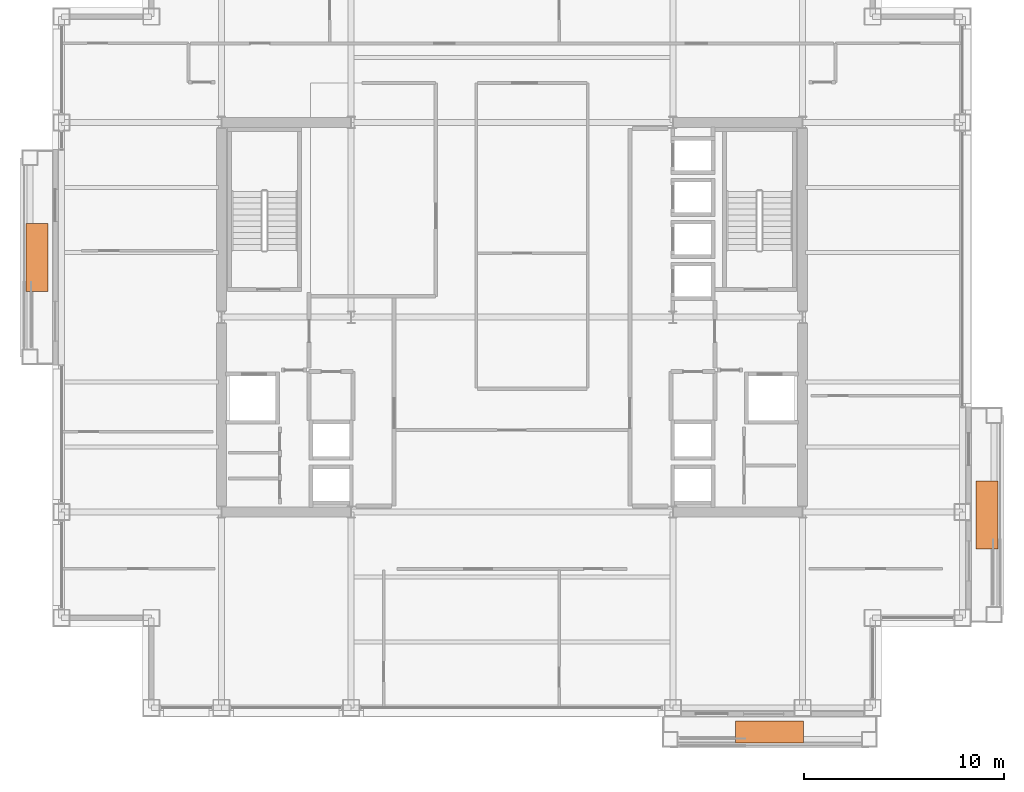
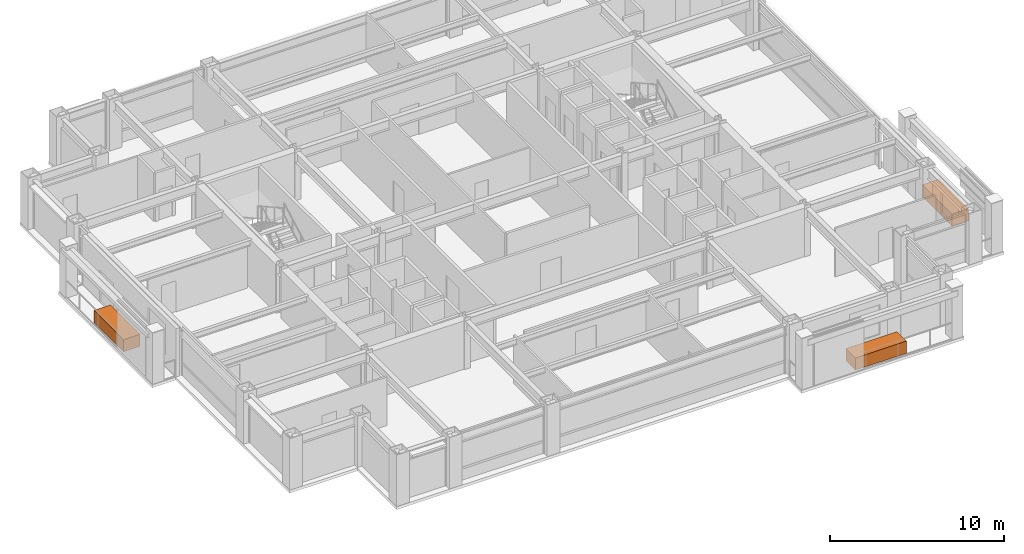
# One storey, part 31 of 31: 3 proxies.
"""IFC4 building model written with IfcOpenShell, lengths in metres."""

from ifc_helpers import new_model, si_unit, direction, frame, origin, origin_2d, place, context, subcontext, project, spatial, rectangle, extrude, material, type_object, element, save


model = new_model("IFC4")

# Units and contexts
model_context = context("Model", 3, precision=1e-05, world=origin(), true_north=direction((0.0, 1.0)))
body_context = subcontext(model_context, "Body", "Model", "MODEL_VIEW")
ifc_project = project(units=[si_unit("LENGTHUNIT", "METRE"), si_unit("AREAUNIT", "SQUARE_METRE"), si_unit("VOLUMEUNIT", "CUBIC_METRE"), si_unit("PLANEANGLEUNIT", "RADIAN"), si_unit("MASSUNIT", "GRAM", prefix="KILO")], contexts=[model_context])

# Site, building, storey
site_placement = place(None, origin())
site = spatial("IfcSite", under=ifc_project, at=site_placement, CompositionType="ELEMENT")
building_placement = place(site_placement, origin())
building = spatial("IfcBuilding", under=site, at=building_placement, Name="Brelmoor Portico Tower", CompositionType="ELEMENT")
storey_placement = place(building_placement, frame((0.0, 0.0, 113.39990234375)))
storey = spatial("IfcBuildingStorey", under=building, at=storey_placement, Name="L29", CompositionType="ELEMENT", Elevation=113.39990234375)

# Proxies
ifc_material = material(Name="Architectural Precast Concrete C40", Category="concrete")
building_element_proxy_type = type_object("IfcBuildingElementProxyType", Name="TREE PLANTER", PredefinedType="USERDEFINED", material=ifc_material)
for number, where, z_axis, x_axis, name in (
    (1, (12.89990234375, -20.77490234375, 0.0), (0.0, 0.0, 1.0), (1.0, 0.0, 0.0), "L29 Planted Tree Planter S"),
    (2, (23.77490234375, -9.89990234375, 0.0), (0.0, 0.0, 1.0), (0.0, 1.0, 0.0), "L29 Planted Tree Planter E"),
    (3, (-23.77490234375, 3.0, 0.0), (0.0, 0.0, 1.0), (0.0, 1.0, 0.0), "L29 Planted Tree Planter W"),
):
    element("IfcBuildingElementProxy", number, at=place(storey_placement, frame(where, z_axis=z_axis, x_axis=x_axis)), inside=storey, type_object=building_element_proxy_type, Name=name, ObjectType="PLANTER", PredefinedType="USERDEFINED", context=body_context, shape_type="SweptSolid", body=[
        extrude(rectangle(XDim=3.39990234375, YDim=1.10009765625, at=origin_2d()), origin(), (0.0, 0.0, 1.0), 0.85009765625),
    ])

save(model, "model.ifc")
